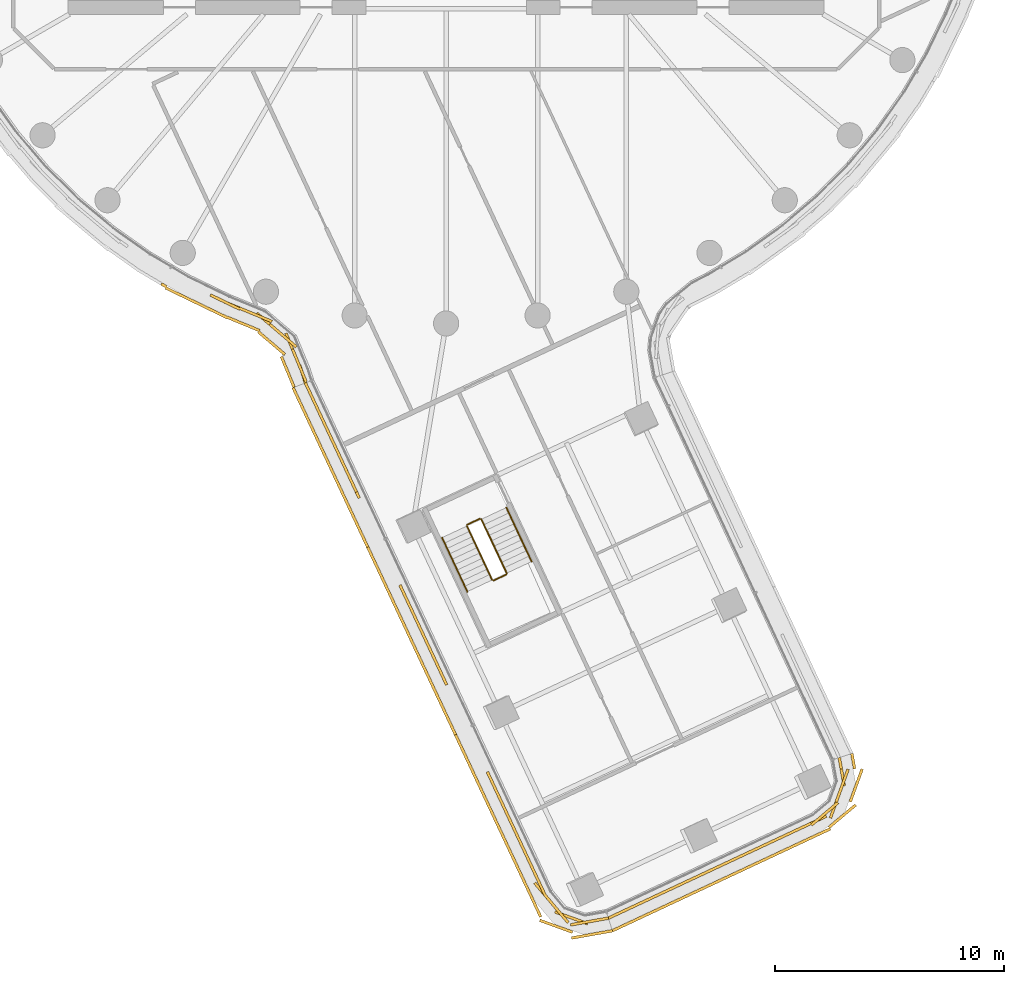
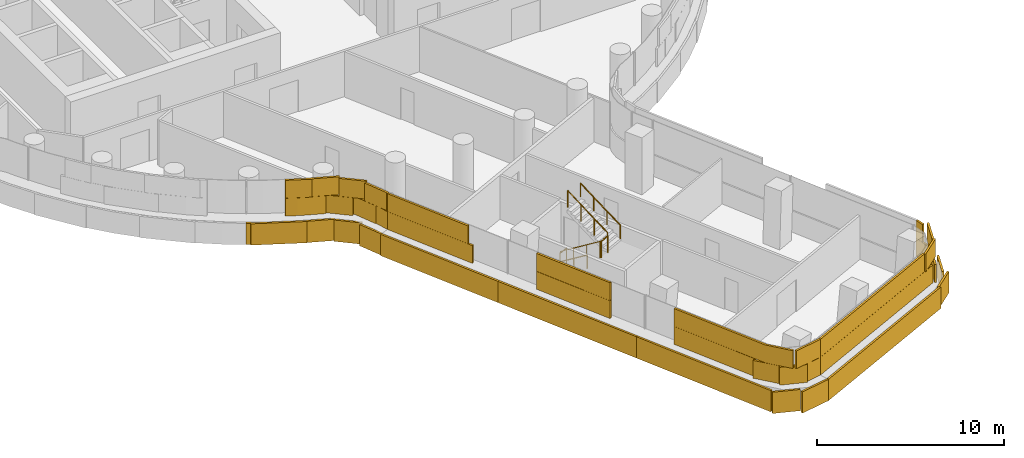
# One storey, part 29 of 36: 6 railings, 5 coverings.
"""IFC4 building model written with IfcOpenShell, lengths in metres."""

from ifc_helpers import new_model, si_unit, direction, frame, origin, origin_2d, place, context, subcontext, project, spatial, rectangle, circle, extrude, material, layer, layer_set, type_object, element, save


model = new_model("IFC4")

# Units and contexts
model_context = context("Model", 3, precision=1e-05, world=origin(), true_north=direction((0.0, 1.0)))
body_context = subcontext(model_context, "Body", "Model", "MODEL_VIEW")
ifc_project = project(units=[si_unit("LENGTHUNIT", "METRE"), si_unit("AREAUNIT", "SQUARE_METRE"), si_unit("VOLUMEUNIT", "CUBIC_METRE"), si_unit("PLANEANGLEUNIT", "RADIAN"), si_unit("MASSUNIT", "GRAM", prefix="KILO")], contexts=[model_context])

# Site, building, storey
site_placement = place(None, origin())
site = spatial("IfcSite", under=ifc_project, at=site_placement, CompositionType="ELEMENT")
building_placement = place(site_placement, origin())
building = spatial("IfcBuilding", under=site, at=building_placement, Name="Tamarind Cross Interchange Tower", CompositionType="ELEMENT")
storey_placement = place(building_placement, frame((0.0, 0.0, 124.75)))
storey = spatial("IfcBuildingStorey", under=building, at=storey_placement, Name="L30", CompositionType="ELEMENT", Elevation=124.75)

# Railings
ifc_material_1 = material(Name="Stair guard")
railing_type_1 = type_object("IfcRailingType", Name="Stair guard", PredefinedType="GUARDRAIL", material=ifc_material_1)
railing_1_placement = place(storey_placement, frame((0.9072265625, -31.84326171875, 0.17041015625)))
element("IfcRailing", 1, at=railing_1_placement, inside=storey, type_object=railing_type_1, Name="L30 ST6 stair guard 1", PredefinedType="GUARDRAIL", context=body_context, shape_type="SweptSolid", body=[
    extrude(circle(Radius=0.02392578125, at=origin_2d()), frame((0.0, 0.0, 1.076171875), z_axis=(0.354398913971, -0.75748546957, 0.548285667482), x_axis=(0.905767689231, 0.423774578219, 0.0)), (0.0, 0.0, 1.0), 3.10888671875),
    extrude(circle(Radius=0.02099609375, at=origin_2d()), origin(), (0.0, 0.0, 1.0), 1.052001953125),
    extrude(circle(Radius=0.02099609375, at=origin_2d()), frame((0.3671875, -0.784912109375, 0.568115234375)), (0.0, 0.0, 1.0), 1.052001953125),
    extrude(circle(Radius=0.02099609375, at=origin_2d()), frame((0.734619140625, -1.570068359375, 1.136474609375)), (0.0, 0.0, 1.0), 1.052001953125),
    extrude(circle(Radius=0.02099609375, at=origin_2d()), frame((1.101806640625, -2.35498046875, 1.70458984375)), (0.0, 0.0, 1.0), 1.052001953125),
])
railing_2_placement = place(storey_placement, frame((2.075439453125, -34.222412109375, 1.875)))
element("IfcRailing", 2, at=railing_2_placement, inside=storey, type_object=railing_type_1, Name="L30 ST6 stair guard 2", PredefinedType="GUARDRAIL", context=body_context, shape_type="SweptSolid", body=[
    extrude(circle(Radius=0.02392578125, at=origin_2d()), frame((0.0, 0.0, 1.076171875), z_axis=(0.905683578805, 0.423954307778, 0.0), x_axis=(-0.423954307778, 0.905683578805, 0.0)), (0.0, 0.0, 1.0), 0.60009765625),
    extrude(circle(Radius=0.02099609375, at=origin_2d()), origin(), (0.0, 0.0, 1.0), 1.052001953125),
    extrude(circle(Radius=0.02099609375, at=origin_2d()), frame((0.54345703125, 0.25439453125, 0.0)), (0.0, 0.0, 1.0), 1.052001953125),
])
railing_3_placement = place(storey_placement, frame((2.64306640625, -33.901611328125, 2.04541015625)))
element("IfcRailing", 3, at=railing_3_placement, inside=storey, type_object=railing_type_1, Name="L30 ST6 stair guard 3", PredefinedType="GUARDRAIL", context=body_context, shape_type="SweptSolid", body=[
    extrude(circle(Radius=0.02392578125, at=origin_2d()), frame((0.0, 0.0, 1.076171875), z_axis=(-0.354398913971, 0.75748546957, 0.548285667482), x_axis=(-0.905767689231, -0.423774578219, 0.0)), (0.0, 0.0, 1.0), 3.10888671875),
    extrude(circle(Radius=0.02099609375, at=origin_2d()), origin(), (0.0, 0.0, 1.0), 1.052001953125),
    extrude(circle(Radius=0.02099609375, at=origin_2d()), frame((-0.3671875, 0.784912109375, 0.568115234375)), (0.0, 0.0, 1.0), 1.052001953125),
    extrude(circle(Radius=0.02099609375, at=origin_2d()), frame((-0.734619140625, 1.570068359375, 1.136474609375)), (0.0, 0.0, 1.0), 1.052001953125),
    extrude(circle(Radius=0.02099609375, at=origin_2d()), frame((-1.101806640625, 2.35498046875, 1.70458984375)), (0.0, 0.0, 1.0), 1.052001953125),
])
railing_4_placement = place(storey_placement, frame((0.93115234375, -31.77685546875, 0.0)))
element("IfcRailing", 4, at=railing_4_placement, inside=storey, type_object=railing_type_1, Name="L30 ST6 stair guard 4", PredefinedType="GUARDRAIL", context=body_context, shape_type="SweptSolid", body=[
    extrude(circle(Radius=0.02392578125, at=origin_2d()), frame((0.0, 0.0, 1.076171875), z_axis=(0.905683578805, 0.423954307778, 0.0), x_axis=(-0.423954307778, 0.905683578805, 0.0)), (0.0, 0.0, 1.0), 0.60009765625),
    extrude(circle(Radius=0.02099609375, at=origin_2d()), origin(), (0.0, 0.0, 1.0), 1.052001953125),
    extrude(circle(Radius=0.02099609375, at=origin_2d()), frame((0.54345703125, 0.25439453125, 0.0)), (0.0, 0.0, 1.0), 1.052001953125),
])
ifc_material_2 = material(Name="Stair handrail")
railing_type_2 = type_object("IfcRailingType", Name="Stair handrail", PredefinedType="HANDRAIL", material=ifc_material_2)
railing_5_placement = place(storey_placement, frame((-0.1796875, -32.351806640625, 0.17041015625)))
element("IfcRailing", 5, at=railing_5_placement, inside=storey, type_object=railing_type_2, Name="L30 ST6 stair handrail 1", PredefinedType="HANDRAIL", context=body_context, shape_type="SweptSolid", body=[
    extrude(circle(Radius=0.02392578125, at=origin_2d()), frame((0.0, 0.0, 0.8759765625), z_axis=(0.354398913971, -0.75748546957, 0.548285667482), x_axis=(0.905767689231, 0.423774578219, 0.0)), (0.0, 0.0, 1.0), 3.10888671875),
    extrude(circle(Radius=0.02099609375, at=origin_2d()), origin(), (0.0, 0.0, 1.0), 0.851806640625),
    extrude(circle(Radius=0.02099609375, at=origin_2d()), frame((0.3671875, -0.784912109375, 0.568115234375)), (0.0, 0.0, 1.0), 0.851806640625),
    extrude(circle(Radius=0.02099609375, at=origin_2d()), frame((0.734619140625, -1.570068359375, 1.136474609375)), (0.0, 0.0, 1.0), 0.851806640625),
    extrude(circle(Radius=0.02099609375, at=origin_2d()), frame((1.101806640625, -2.35498046875, 1.70458984375)), (0.0, 0.0, 1.0), 0.851806640625),
])
railing_6_placement = place(storey_placement, frame((3.72998046875, -33.39306640625, 2.04541015625)))
element("IfcRailing", 6, at=railing_6_placement, inside=storey, type_object=railing_type_2, Name="L30 ST6 stair handrail 2", PredefinedType="HANDRAIL", context=body_context, shape_type="SweptSolid", body=[
    extrude(circle(Radius=0.02392578125, at=origin_2d()), frame((0.0, 0.0, 0.8759765625), z_axis=(-0.354398913971, 0.75748546957, 0.548285667482), x_axis=(-0.905767689231, -0.423774578219, 0.0)), (0.0, 0.0, 1.0), 3.10888671875),
    extrude(circle(Radius=0.02099609375, at=origin_2d()), origin(), (0.0, 0.0, 1.0), 0.851806640625),
    extrude(circle(Radius=0.02099609375, at=origin_2d()), frame((-0.3671875, 0.784912109375, 0.568115234375)), (0.0, 0.0, 1.0), 0.851806640625),
    extrude(circle(Radius=0.02099609375, at=origin_2d()), frame((-0.734619140625, 1.570068359375, 1.136474609375)), (0.0, 0.0, 1.0), 0.851806640625),
    extrude(circle(Radius=0.02099609375, at=origin_2d()), frame((-1.101806640625, 2.35498046875, 1.70458984375)), (0.0, 0.0, 1.0), 0.851806640625),
])

# Coverings
ifc_material_3 = material(Name="Terracotta", Category="masonry")
ifc_layer = layer(ifc_material_3, 0.1201171875)
ifc_layer_set = layer_set([ifc_layer], Name="Terracotta")
covering_type = type_object("IfcCoveringType", Name="Terracotta baguette screen unit", PredefinedType="MOLDING", material=ifc_layer_set)
covering_1_placement = place(storey_placement, origin())
element("IfcCovering", 7, at=covering_1_placement, inside=storey, type_object=covering_type, Name="SCR-L30-02-01", PredefinedType="MOLDING", context=body_context, shape_type="SweptSolid", body=[
    extrude(rectangle(XDim=0.6796875, YDim=0.1201171875, at=origin_2d()), frame((-9.990478515625, -21.900390625, 1.404052734375), z_axis=(0.0, 0.0, 1.0), x_axis=(0.900272776334, -0.435326231914, 0.0)), (0.0, 0.0, 1.0), 1.1669921875),
    extrude(rectangle(XDim=1.52001953125, YDim=0.1201171875, at=origin_2d()), frame((-8.99853515625, -22.3388671875, 1.404052734375), z_axis=(0.0, 0.0, 1.0), x_axis=(0.924281259172, -0.381712134917, 0.0)), (0.0, 0.0, 1.0), 1.1669921875),
    extrude(rectangle(XDim=1.52001953125, YDim=0.1201171875, at=origin_2d()), frame((-7.692138671875, -23.04248046875, 1.404052734375), z_axis=(0.0, 0.0, 1.0), x_axis=(0.761232595024, -0.648478940501, 0.0)), (0.0, 0.0, 1.0), 1.1669921875),
    extrude(rectangle(XDim=1.52001953125, YDim=0.1201171875, at=origin_2d()), frame((-6.704833984375, -24.12744140625, 1.404052734375), z_axis=(0.0, 0.0, 1.0), x_axis=(0.382708296882, -0.923869232899, 0.0)), (0.0, 0.0, 1.0), 1.1669921875),
    extrude(rectangle(XDim=0.83251953125, YDim=0.1201171875, at=origin_2d()), frame((-6.26953125, -25.20361328125, 1.404052734375), z_axis=(0.0, 0.0, 1.0), x_axis=(0.301957281813, -0.953321456782, 0.0)), (0.0, 0.0, 1.0), 1.1669921875),
    extrude(rectangle(XDim=1.4296875, YDim=0.1201171875, at=origin_2d()), frame((-9.65283203125, -22.063720703125, 2.5791015625), z_axis=(0.0, 0.0, 1.0), x_axis=(0.900272776334, -0.435326231914, 0.0)), (0.0, 0.0, 1.0), 1.1669921875),
    extrude(rectangle(XDim=1.52001953125, YDim=0.1201171875, at=origin_2d()), frame((-8.305419921875, -22.625244140625, 2.5791015625), z_axis=(0.0, 0.0, 1.0), x_axis=(0.924281259172, -0.381712134917, 0.0)), (0.0, 0.0, 1.0), 1.1669921875),
    extrude(rectangle(XDim=1.52001953125, YDim=0.1201171875, at=origin_2d()), frame((-7.121337890625, -23.52880859375, 2.5791015625), z_axis=(0.0, 0.0, 1.0), x_axis=(0.761232595024, -0.648478940501, 0.0)), (0.0, 0.0, 1.0), 1.1669921875),
    extrude(rectangle(XDim=1.52001953125, YDim=0.1201171875, at=origin_2d()), frame((-6.417724609375, -24.8203125, 2.5791015625), z_axis=(0.0, 0.0, 1.0), x_axis=(0.382708296882, -0.923869232899, 0.0)), (0.0, 0.0, 1.0), 1.1669921875),
    extrude(rectangle(XDim=0.08251953125, YDim=0.1201171875, at=origin_2d()), frame((-6.15625, -25.56103515625, 2.5791015625), z_axis=(0.0, 0.0, 1.0), x_axis=(0.301957281813, -0.953321456782, 0.0)), (0.0, 0.0, 1.0), 1.1669921875),
    extrude(rectangle(XDim=0.26416015625, YDim=0.1201171875, at=origin_2d()), frame((-12.3232421875, -21.337646484375, 0.00390625), z_axis=(0.0, 0.0, 1.0), x_axis=(0.861248933065, -0.508183308752, 0.0)), (0.0, 0.0, 1.0), 1.39208984375),
    extrude(rectangle(XDim=1.52001953125, YDim=0.1201171875, at=origin_2d()), frame((-11.569091796875, -21.774658203125, 0.00390625), z_axis=(0.0, 0.0, 1.0), x_axis=(0.900272776334, -0.435326231914, 0.0)), (0.0, 0.0, 1.0), 1.39208984375),
    extrude(rectangle(XDim=1.52001953125, YDim=0.1201171875, at=origin_2d()), frame((-10.218505859375, -22.427734375, 0.00390625), z_axis=(0.0, 0.0, 1.0), x_axis=(0.900272776334, -0.435326231914, 0.0)), (0.0, 0.0, 1.0), 1.39208984375),
    extrude(rectangle(XDim=1.52001953125, YDim=0.1201171875, at=origin_2d()), frame((-8.843017578125, -23.024169921875, 0.00390625), z_axis=(0.0, 0.0, 1.0), x_axis=(0.924281259172, -0.381712134917, 0.0)), (0.0, 0.0, 1.0), 1.39208984375),
    extrude(rectangle(XDim=1.52001953125, YDim=0.1201171875, at=origin_2d()), frame((-7.617431640625, -23.860107421875, 0.00390625), z_axis=(0.0, 0.0, 1.0), x_axis=(0.761232595024, -0.648478940501, 0.0)), (0.0, 0.0, 1.0), 1.39208984375),
    extrude(rectangle(XDim=1.45703125, YDim=0.1201171875, at=origin_2d()), frame((-6.91650390625, -25.115966796875, 0.00390625), z_axis=(0.0, 0.0, 1.0), x_axis=(0.382708296882, -0.923869232899, 0.0)), (0.0, 0.0, 1.0), 1.39208984375),
])
covering_2_placement = place(storey_placement, origin())
element("IfcCovering", 8, at=covering_2_placement, inside=storey, type_object=covering_type, Name="SCR-L30-03-00", PredefinedType="MOLDING", context=body_context, shape_type="SweptSolid", body=[
    extrude(rectangle(XDim=1.510009765625, YDim=0.1201171875, at=origin_2d()), frame((-5.827392578125, -26.27490234375, 1.404052734375), z_axis=(0.0, 0.0, 1.0), x_axis=(0.423807415123, -0.905752325355, 0.0)), (0.0, 0.0, 1.0), 1.1669921875),
    extrude(rectangle(XDim=1.52001953125, YDim=0.1201171875, at=origin_2d()), frame((-5.191650390625, -27.633544921875, 1.404052734375), z_axis=(0.0, 0.0, 1.0), x_axis=(0.423807415123, -0.905752325355, 0.0)), (0.0, 0.0, 1.0), 1.1669921875),
    extrude(rectangle(XDim=1.52001953125, YDim=0.1201171875, at=origin_2d()), frame((-4.555908203125, -28.9921875, 1.404052734375), z_axis=(0.0, 0.0, 1.0), x_axis=(0.423807415123, -0.905752325355, 0.0)), (0.0, 0.0, 1.0), 1.1669921875),
    extrude(rectangle(XDim=1.05712890625, YDim=0.1201171875, at=origin_2d()), frame((-4.016357421875, -30.145751953125, 1.404052734375), z_axis=(0.0, 0.0, 1.0), x_axis=(0.423807415123, -0.905752325355, 0.0)), (0.0, 0.0, 1.0), 1.1669921875),
    extrude(rectangle(XDim=0.760009765625, YDim=0.1201171875, at=origin_2d()), frame((-5.986328125, -25.935302734375, 2.5791015625), z_axis=(0.0, 0.0, 1.0), x_axis=(0.423807415123, -0.905752325355, 0.0)), (0.0, 0.0, 1.0), 1.1669921875),
    extrude(rectangle(XDim=1.52001953125, YDim=0.1201171875, at=origin_2d()), frame((-5.509521484375, -26.954345703125, 2.5791015625), z_axis=(0.0, 0.0, 1.0), x_axis=(0.423807415123, -0.905752325355, 0.0)), (0.0, 0.0, 1.0), 1.1669921875),
    extrude(rectangle(XDim=1.52001953125, YDim=0.1201171875, at=origin_2d()), frame((-4.873779296875, -28.31298828125, 2.5791015625), z_axis=(0.0, 0.0, 1.0), x_axis=(0.423807415123, -0.905752325355, 0.0)), (0.0, 0.0, 1.0), 1.1669921875),
    extrude(rectangle(XDim=1.52001953125, YDim=0.1201171875, at=origin_2d()), frame((-4.23828125, -29.671630859375, 2.5791015625), z_axis=(0.0, 0.0, 1.0), x_axis=(0.423807415123, -0.905752325355, 0.0)), (0.0, 0.0, 1.0), 1.1669921875),
    extrude(rectangle(XDim=1.510009765625, YDim=0.1201171875, at=origin_2d()), frame((-6.361083984375, -26.48876953125, 0.00390625), z_axis=(0.0, 0.0, 1.0), x_axis=(0.423807415123, -0.905752325355, 0.0)), (0.0, 0.0, 1.0), 1.39208984375),
    extrude(rectangle(XDim=1.52001953125, YDim=0.1201171875, at=origin_2d()), frame((-5.7275390625, -27.8427734375, 0.00390625), z_axis=(0.0, 0.0, 1.0), x_axis=(0.423807415123, -0.905752325355, 0.0)), (0.0, 0.0, 1.0), 1.39208984375),
    extrude(rectangle(XDim=1.52001953125, YDim=0.1201171875, at=origin_2d()), frame((-5.091796875, -29.201416015625, 0.00390625), z_axis=(0.0, 0.0, 1.0), x_axis=(0.423807415123, -0.905752325355, 0.0)), (0.0, 0.0, 1.0), 1.39208984375),
    extrude(rectangle(XDim=1.52001953125, YDim=0.1201171875, at=origin_2d()), frame((-4.4560546875, -30.56005859375, 0.00390625), z_axis=(0.0, 0.0, 1.0), x_axis=(0.423807415123, -0.905752325355, 0.0)), (0.0, 0.0, 1.0), 1.39208984375),
    extrude(rectangle(XDim=1.52001953125, YDim=0.1201171875, at=origin_2d()), frame((-3.820556640625, -31.918701171875, 0.00390625), z_axis=(0.0, 0.0, 1.0), x_axis=(0.423807415123, -0.905752325355, 0.0)), (0.0, 0.0, 1.0), 1.39208984375),
    extrude(rectangle(XDim=0.192138671875, YDim=0.1201171875, at=origin_2d()), frame((-3.466064453125, -32.676025390625, 0.00390625), z_axis=(0.0, 0.0, 1.0), x_axis=(0.423807415123, -0.905752325355, 0.0)), (0.0, 0.0, 1.0), 1.39208984375),
])
covering_3_placement = place(storey_placement, origin())
element("IfcCovering", 9, at=covering_3_placement, inside=storey, type_object=covering_type, Name="SCR-L30-03-01", PredefinedType="MOLDING", context=body_context, shape_type="SweptSolid", body=[
    extrude(rectangle(XDim=0.7626953125, YDim=0.1201171875, at=origin_2d()), frame((-1.854736328125, -34.76513671875, 1.404052734375), z_axis=(0.0, 0.0, 1.0), x_axis=(0.423807415123, -0.905752325355, 0.0)), (0.0, 0.0, 1.0), 1.1669921875),
    extrude(rectangle(XDim=1.52001953125, YDim=0.1201171875, at=origin_2d()), frame((-1.37744140625, -35.785400390625, 1.404052734375), z_axis=(0.0, 0.0, 1.0), x_axis=(0.423807415123, -0.905752325355, 0.0)), (0.0, 0.0, 1.0), 1.1669921875),
    extrude(rectangle(XDim=1.52001953125, YDim=0.1201171875, at=origin_2d()), frame((-0.74169921875, -37.14404296875, 1.404052734375), z_axis=(0.0, 0.0, 1.0), x_axis=(0.423807415123, -0.905752325355, 0.0)), (0.0, 0.0, 1.0), 1.1669921875),
    extrude(rectangle(XDim=1.063720703125, YDim=0.1201171875, at=origin_2d()), frame((-0.20068359375, -38.300537109375, 1.404052734375), z_axis=(0.0, 0.0, 1.0), x_axis=(0.423807415123, -0.905752325355, 0.0)), (0.0, 0.0, 1.0), 1.1669921875),
    extrude(rectangle(XDim=1.52001953125, YDim=0.1201171875, at=origin_2d()), frame((-1.6953125, -35.10595703125, 2.5791015625), z_axis=(0.0, 0.0, 1.0), x_axis=(0.423807415123, -0.905752325355, 0.0)), (0.0, 0.0, 1.0), 1.1669921875),
    extrude(rectangle(XDim=1.52001953125, YDim=0.1201171875, at=origin_2d()), frame((-1.0595703125, -36.464599609375, 2.5791015625), z_axis=(0.0, 0.0, 1.0), x_axis=(0.423807415123, -0.905752325355, 0.0)), (0.0, 0.0, 1.0), 1.1669921875),
    extrude(rectangle(XDim=1.52001953125, YDim=0.1201171875, at=origin_2d()), frame((-0.423828125, -37.8232421875, 2.5791015625), z_axis=(0.0, 0.0, 1.0), x_axis=(0.423807415123, -0.905752325355, 0.0)), (0.0, 0.0, 1.0), 1.1669921875),
    extrude(rectangle(XDim=0.313720703125, YDim=0.1201171875, at=origin_2d()), frame((-0.041748046875, -38.64013671875, 2.5791015625), z_axis=(0.0, 0.0, 1.0), x_axis=(0.423807415123, -0.905752325355, 0.0)), (0.0, 0.0, 1.0), 1.1669921875),
    extrude(rectangle(XDim=1.32763671875, YDim=0.1201171875, at=origin_2d()), frame((-3.14404296875, -33.364501953125, 0.00390625), z_axis=(0.0, 0.0, 1.0), x_axis=(0.423807415123, -0.905752325355, 0.0)), (0.0, 0.0, 1.0), 1.39208984375),
    extrude(rectangle(XDim=1.52001953125, YDim=0.1201171875, at=origin_2d()), frame((-2.549072265625, -34.635986328125, 0.00390625), z_axis=(0.0, 0.0, 1.0), x_axis=(0.423807415123, -0.905752325355, 0.0)), (0.0, 0.0, 1.0), 1.39208984375),
    extrude(rectangle(XDim=1.52001953125, YDim=0.1201171875, at=origin_2d()), frame((-1.913330078125, -35.99462890625, 0.00390625), z_axis=(0.0, 0.0, 1.0), x_axis=(0.423807415123, -0.905752325355, 0.0)), (0.0, 0.0, 1.0), 1.39208984375),
    extrude(rectangle(XDim=1.52001953125, YDim=0.1201171875, at=origin_2d()), frame((-1.277587890625, -37.353271484375, 0.00390625), z_axis=(0.0, 0.0, 1.0), x_axis=(0.423807415123, -0.905752325355, 0.0)), (0.0, 0.0, 1.0), 1.39208984375),
    extrude(rectangle(XDim=1.52001953125, YDim=0.1201171875, at=origin_2d()), frame((-0.641845703125, -38.7119140625, 0.00390625), z_axis=(0.0, 0.0, 1.0), x_axis=(0.423807415123, -0.905752325355, 0.0)), (0.0, 0.0, 1.0), 1.39208984375),
    extrude(rectangle(XDim=1.52001953125, YDim=0.1201171875, at=origin_2d()), frame((-0.006103515625, -40.070556640625, 0.00390625), z_axis=(0.0, 0.0, 1.0), x_axis=(0.423807415123, -0.905752325355, 0.0)), (0.0, 0.0, 1.0), 1.39208984375),
    extrude(rectangle(XDim=0.239990234375, YDim=0.1201171875, at=origin_2d()), frame((0.3583984375, -40.849365234375, 0.00390625), z_axis=(0.0, 0.0, 1.0), x_axis=(0.423807415123, -0.905752325355, 0.0)), (0.0, 0.0, 1.0), 1.39208984375),
])
covering_4_placement = place(storey_placement, origin())
element("IfcCovering", 10, at=covering_4_placement, inside=storey, type_object=covering_type, Name="SCR-L30-03-02", PredefinedType="MOLDING", context=body_context, shape_type="SweptSolid", body=[
    extrude(rectangle(XDim=0.75634765625, YDim=0.1201171875, at=origin_2d()), frame((1.960693359375, -42.919921875, 1.404052734375), z_axis=(0.0, 0.0, 1.0), x_axis=(0.423807415123, -0.905752325355, 0.0)), (0.0, 0.0, 1.0), 1.1669921875),
    extrude(rectangle(XDim=1.52001953125, YDim=0.1201171875, at=origin_2d()), frame((2.436767578125, -43.937255859375, 1.404052734375), z_axis=(0.0, 0.0, 1.0), x_axis=(0.423807415123, -0.905752325355, 0.0)), (0.0, 0.0, 1.0), 1.1669921875),
    extrude(rectangle(XDim=1.52001953125, YDim=0.1201171875, at=origin_2d()), frame((3.072509765625, -45.2958984375, 1.404052734375), z_axis=(0.0, 0.0, 1.0), x_axis=(0.423807415123, -0.905752325355, 0.0)), (0.0, 0.0, 1.0), 1.1669921875),
    extrude(rectangle(XDim=1.52001953125, YDim=0.1201171875, at=origin_2d()), frame((3.708251953125, -46.654296875, 1.404052734375), z_axis=(0.0, 0.0, 1.0), x_axis=(0.423807415123, -0.905752325355, 0.0)), (0.0, 0.0, 1.0), 1.1669921875),
    extrude(rectangle(XDim=1.52001953125, YDim=0.1201171875, at=origin_2d()), frame((4.3564453125, -48.005126953125, 1.404052734375), z_axis=(0.0, 0.0, 1.0), x_axis=(0.643792479588, -0.765200132793, 0.0)), (0.0, 0.0, 1.0), 1.1669921875),
    extrude(rectangle(XDim=1.52001953125, YDim=0.1201171875, at=origin_2d()), frame((5.466064453125, -48.94677734375, 1.404052734375), z_axis=(0.0, 0.0, 1.0), x_axis=(0.940140708485, -0.340786514184, 0.0)), (0.0, 0.0, 1.0), 1.1669921875),
    extrude(rectangle(XDim=0.92919921875, YDim=0.1201171875, at=origin_2d()), frame((6.63037109375, -49.04345703125, 1.404052734375), z_axis=(0.0, 0.0, 1.0), x_axis=(0.984578993772, 0.174940575692, 0.0)), (0.0, 0.0, 1.0), 1.1669921875),
    extrude(rectangle(XDim=1.50634765625, YDim=0.1201171875, at=origin_2d()), frame((2.11962890625, -43.259521484375, 2.5791015625), z_axis=(0.0, 0.0, 1.0), x_axis=(0.423807415123, -0.905752325355, 0.0)), (0.0, 0.0, 1.0), 1.1669921875),
    extrude(rectangle(XDim=1.52001953125, YDim=0.1201171875, at=origin_2d()), frame((2.754638671875, -44.616455078125, 2.5791015625), z_axis=(0.0, 0.0, 1.0), x_axis=(0.423807415123, -0.905752325355, 0.0)), (0.0, 0.0, 1.0), 1.1669921875),
    extrude(rectangle(XDim=1.52001953125, YDim=0.1201171875, at=origin_2d()), frame((3.390380859375, -45.97509765625, 2.5791015625), z_axis=(0.0, 0.0, 1.0), x_axis=(0.423807415123, -0.905752325355, 0.0)), (0.0, 0.0, 1.0), 1.1669921875),
    extrude(rectangle(XDim=1.52001953125, YDim=0.1201171875, at=origin_2d()), frame((4.026123046875, -47.333740234375, 2.5791015625), z_axis=(0.0, 0.0, 1.0), x_axis=(0.423807415123, -0.905752325355, 0.0)), (0.0, 0.0, 1.0), 1.1669921875),
    extrude(rectangle(XDim=1.52001953125, YDim=0.1201171875, at=origin_2d()), frame((4.83935546875, -48.578857421875, 2.5791015625), z_axis=(0.0, 0.0, 1.0), x_axis=(0.643792479588, -0.765200132793, 0.0)), (0.0, 0.0, 1.0), 1.1669921875),
    extrude(rectangle(XDim=1.52001953125, YDim=0.1201171875, at=origin_2d()), frame((6.177734375, -49.1240234375, 2.5791015625), z_axis=(0.0, 0.0, 1.0), x_axis=(0.984578993772, 0.174940575692, 0.0)), (0.0, 0.0, 1.0), 1.1669921875),
    extrude(rectangle(XDim=0.17919921875, YDim=0.1201171875, at=origin_2d()), frame((6.99951171875, -48.97802734375, 2.5791015625), z_axis=(0.0, 0.0, 1.0), x_axis=(0.984578993772, 0.174940575692, 0.0)), (0.0, 0.0, 1.0), 1.1669921875),
    extrude(rectangle(XDim=1.27978515625, YDim=0.1201171875, at=origin_2d()), frame((0.680419921875, -41.537841796875, 0.00390625), z_axis=(0.0, 0.0, 1.0), x_axis=(0.423807415123, -0.905752325355, 0.0)), (0.0, 0.0, 1.0), 1.39208984375),
    extrude(rectangle(XDim=1.52001953125, YDim=0.1201171875, at=origin_2d()), frame((1.26513671875, -42.787841796875, 0.00390625), z_axis=(0.0, 0.0, 1.0), x_axis=(0.423807415123, -0.905752325355, 0.0)), (0.0, 0.0, 1.0), 1.39208984375),
    extrude(rectangle(XDim=1.52001953125, YDim=0.1201171875, at=origin_2d()), frame((1.90087890625, -44.146240234375, 0.00390625), z_axis=(0.0, 0.0, 1.0), x_axis=(0.423807415123, -0.905752325355, 0.0)), (0.0, 0.0, 1.0), 1.39208984375),
    extrude(rectangle(XDim=1.52001953125, YDim=0.1201171875, at=origin_2d()), frame((2.53662109375, -45.5048828125, 0.00390625), z_axis=(0.0, 0.0, 1.0), x_axis=(0.423807415123, -0.905752325355, 0.0)), (0.0, 0.0, 1.0), 1.39208984375),
    extrude(rectangle(XDim=1.52001953125, YDim=0.1201171875, at=origin_2d()), frame((3.17236328125, -46.863525390625, 0.00390625), z_axis=(0.0, 0.0, 1.0), x_axis=(0.423807415123, -0.905752325355, 0.0)), (0.0, 0.0, 1.0), 1.39208984375),
    extrude(rectangle(XDim=1.52001953125, YDim=0.1201171875, at=origin_2d()), frame((3.80810546875, -48.22216796875, 0.00390625), z_axis=(0.0, 0.0, 1.0), x_axis=(0.423807415123, -0.905752325355, 0.0)), (0.0, 0.0, 1.0), 1.39208984375),
    extrude(rectangle(XDim=1.52001953125, YDim=0.1201171875, at=origin_2d()), frame((4.8037109375, -49.3173828125, 0.00390625), z_axis=(0.0, 0.0, 1.0), x_axis=(0.940140708485, -0.340786514184, 0.0)), (0.0, 0.0, 1.0), 1.39208984375),
    extrude(rectangle(XDim=1.52001953125, YDim=0.1201171875, at=origin_2d()), frame((6.22509765625, -49.698486328125, 0.00390625), z_axis=(0.0, 0.0, 1.0), x_axis=(0.984578993772, 0.174940575692, 0.0)), (0.0, 0.0, 1.0), 1.39208984375),
    extrude(rectangle(XDim=0.308837890625, YDim=0.1201171875, at=origin_2d()), frame((7.105712890625, -49.5419921875, 0.00390625), z_axis=(0.0, 0.0, 1.0), x_axis=(0.984578993772, 0.174940575692, 0.0)), (0.0, 0.0, 1.0), 1.39208984375),
])
covering_5_placement = place(storey_placement, origin())
element("IfcCovering", 11, at=covering_5_placement, inside=storey, type_object=covering_type, Name="SCR-L30-04-00", PredefinedType="MOLDING", context=body_context, shape_type="SweptSolid", body=[
    extrude(rectangle(XDim=1.510009765625, YDim=0.1201171875, at=origin_2d()), frame((7.76220703125, -48.645263671875, 1.404052734375), z_axis=(0.0, 0.0, 1.0), x_axis=(0.905752325355, 0.423807415123, 0.0)), (0.0, 0.0, 1.0), 1.1669921875),
    extrude(rectangle(XDim=1.52001953125, YDim=0.1201171875, at=origin_2d()), frame((9.120849609375, -48.009521484375, 1.404052734375), z_axis=(0.0, 0.0, 1.0), x_axis=(0.905752325355, 0.423807415123, 0.0)), (0.0, 0.0, 1.0), 1.1669921875),
    extrude(rectangle(XDim=1.52001953125, YDim=0.1201171875, at=origin_2d()), frame((10.4794921875, -47.373779296875, 1.404052734375), z_axis=(0.0, 0.0, 1.0), x_axis=(0.905752325355, 0.423807415123, 0.0)), (0.0, 0.0, 1.0), 1.1669921875),
    extrude(rectangle(XDim=1.52001953125, YDim=0.1201171875, at=origin_2d()), frame((11.838134765625, -46.73828125, 1.404052734375), z_axis=(0.0, 0.0, 1.0), x_axis=(0.905752325355, 0.423807415123, 0.0)), (0.0, 0.0, 1.0), 1.1669921875),
    extrude(rectangle(XDim=1.52001953125, YDim=0.1201171875, at=origin_2d()), frame((13.19677734375, -46.1025390625, 1.404052734375), z_axis=(0.0, 0.0, 1.0), x_axis=(0.905752325355, 0.423807415123, 0.0)), (0.0, 0.0, 1.0), 1.1669921875),
    extrude(rectangle(XDim=1.52001953125, YDim=0.1201171875, at=origin_2d()), frame((14.555419921875, -45.466796875, 1.404052734375), z_axis=(0.0, 0.0, 1.0), x_axis=(0.905752325355, 0.423807415123, 0.0)), (0.0, 0.0, 1.0), 1.1669921875),
    extrude(rectangle(XDim=1.52001953125, YDim=0.1201171875, at=origin_2d()), frame((15.9140625, -44.8310546875, 1.404052734375), z_axis=(0.0, 0.0, 1.0), x_axis=(0.905752325355, 0.423807415123, 0.0)), (0.0, 0.0, 1.0), 1.1669921875),
    extrude(rectangle(XDim=1.52001953125, YDim=0.1201171875, at=origin_2d()), frame((17.034423828125, -43.879638671875, 1.404052734375), z_axis=(0.0, 0.0, 1.0), x_axis=(0.340786514184, 0.940140708485, 0.0)), (0.0, 0.0, 1.0), 1.1669921875),
    extrude(rectangle(XDim=1.259521484375, YDim=0.1201171875, at=origin_2d()), frame((17.272705078125, -42.5673828125, 1.404052734375), z_axis=(0.0, 0.0, 1.0), x_axis=(-0.174940575692, 0.984578993772, 0.0)), (0.0, 0.0, 1.0), 1.1669921875),
    extrude(rectangle(XDim=0.760009765625, YDim=0.1201171875, at=origin_2d()), frame((7.422607421875, -48.80419921875, 2.5791015625), z_axis=(0.0, 0.0, 1.0), x_axis=(0.905752325355, 0.423807415123, 0.0)), (0.0, 0.0, 1.0), 1.1669921875),
    extrude(rectangle(XDim=1.52001953125, YDim=0.1201171875, at=origin_2d()), frame((8.44140625, -48.327392578125, 2.5791015625), z_axis=(0.0, 0.0, 1.0), x_axis=(0.905752325355, 0.423807415123, 0.0)), (0.0, 0.0, 1.0), 1.1669921875),
    extrude(rectangle(XDim=1.52001953125, YDim=0.1201171875, at=origin_2d()), frame((9.800048828125, -47.691650390625, 2.5791015625), z_axis=(0.0, 0.0, 1.0), x_axis=(0.905752325355, 0.423807415123, 0.0)), (0.0, 0.0, 1.0), 1.1669921875),
    extrude(rectangle(XDim=1.52001953125, YDim=0.1201171875, at=origin_2d()), frame((11.15869140625, -47.05615234375, 2.5791015625), z_axis=(0.0, 0.0, 1.0), x_axis=(0.905752325355, 0.423807415123, 0.0)), (0.0, 0.0, 1.0), 1.1669921875),
    extrude(rectangle(XDim=1.52001953125, YDim=0.1201171875, at=origin_2d()), frame((12.517333984375, -46.42041015625, 2.5791015625), z_axis=(0.0, 0.0, 1.0), x_axis=(0.905752325355, 0.423807415123, 0.0)), (0.0, 0.0, 1.0), 1.1669921875),
    extrude(rectangle(XDim=1.52001953125, YDim=0.1201171875, at=origin_2d()), frame((13.8759765625, -45.78466796875, 2.5791015625), z_axis=(0.0, 0.0, 1.0), x_axis=(0.905752325355, 0.423807415123, 0.0)), (0.0, 0.0, 1.0), 1.1669921875),
    extrude(rectangle(XDim=1.52001953125, YDim=0.1201171875, at=origin_2d()), frame((15.234619140625, -45.14892578125, 2.5791015625), z_axis=(0.0, 0.0, 1.0), x_axis=(0.905752325355, 0.423807415123, 0.0)), (0.0, 0.0, 1.0), 1.1669921875),
    extrude(rectangle(XDim=1.52001953125, YDim=0.1201171875, at=origin_2d()), frame((16.5263671875, -44.408447265625, 2.5791015625), z_axis=(0.0, 0.0, 1.0), x_axis=(0.765200132793, 0.643792479588, 0.0)), (0.0, 0.0, 1.0), 1.1669921875),
    extrude(rectangle(XDim=1.52001953125, YDim=0.1201171875, at=origin_2d()), frame((17.2900390625, -43.174560546875, 2.5791015625), z_axis=(0.0, 0.0, 1.0), x_axis=(0.340786514184, 0.940140708485, 0.0)), (0.0, 0.0, 1.0), 1.1669921875),
    extrude(rectangle(XDim=0.509521484375, YDim=0.1201171875, at=origin_2d()), frame((17.20703125, -42.197998046875, 2.5791015625), z_axis=(0.0, 0.0, 1.0), x_axis=(-0.174940575692, 0.984578993772, 0.0)), (0.0, 0.0, 1.0), 1.1669921875),
    extrude(rectangle(XDim=1.510009765625, YDim=0.1201171875, at=origin_2d()), frame((7.941650390625, -49.195068359375, 0.00390625), z_axis=(0.0, 0.0, 1.0), x_axis=(0.905752325355, 0.423807415123, 0.0)), (0.0, 0.0, 1.0), 1.39208984375),
    extrude(rectangle(XDim=1.52001953125, YDim=0.1201171875, at=origin_2d()), frame((9.295654296875, -48.5615234375, 0.00390625), z_axis=(0.0, 0.0, 1.0), x_axis=(0.905752325355, 0.423807415123, 0.0)), (0.0, 0.0, 1.0), 1.39208984375),
    extrude(rectangle(XDim=1.52001953125, YDim=0.1201171875, at=origin_2d()), frame((10.654296875, -47.92578125, 0.00390625), z_axis=(0.0, 0.0, 1.0), x_axis=(0.905752325355, 0.423807415123, 0.0)), (0.0, 0.0, 1.0), 1.39208984375),
    extrude(rectangle(XDim=1.52001953125, YDim=0.1201171875, at=origin_2d()), frame((12.012939453125, -47.2900390625, 0.00390625), z_axis=(0.0, 0.0, 1.0), x_axis=(0.905752325355, 0.423807415123, 0.0)), (0.0, 0.0, 1.0), 1.39208984375),
    extrude(rectangle(XDim=1.52001953125, YDim=0.1201171875, at=origin_2d()), frame((13.37158203125, -46.654296875, 0.00390625), z_axis=(0.0, 0.0, 1.0), x_axis=(0.905752325355, 0.423807415123, 0.0)), (0.0, 0.0, 1.0), 1.39208984375),
    extrude(rectangle(XDim=1.52001953125, YDim=0.1201171875, at=origin_2d()), frame((14.730224609375, -46.018798828125, 0.00390625), z_axis=(0.0, 0.0, 1.0), x_axis=(0.905752325355, 0.423807415123, 0.0)), (0.0, 0.0, 1.0), 1.39208984375),
    extrude(rectangle(XDim=1.52001953125, YDim=0.1201171875, at=origin_2d()), frame((16.0888671875, -45.383056640625, 0.00390625), z_axis=(0.0, 0.0, 1.0), x_axis=(0.905752325355, 0.423807415123, 0.0)), (0.0, 0.0, 1.0), 1.39208984375),
    extrude(rectangle(XDim=1.52001953125, YDim=0.1201171875, at=origin_2d()), frame((17.29638671875, -44.5107421875, 0.00390625), z_axis=(0.0, 0.0, 1.0), x_axis=(0.765200132793, 0.643792479588, 0.0)), (0.0, 0.0, 1.0), 1.39208984375),
    extrude(rectangle(XDim=1.52001953125, YDim=0.1201171875, at=origin_2d()), frame((17.903076171875, -43.167236328125, 0.00390625), z_axis=(0.0, 0.0, 1.0), x_axis=(0.340786514184, 0.940140708485, 0.0)), (0.0, 0.0, 1.0), 1.39208984375),
    extrude(rectangle(XDim=0.676513671875, YDim=0.1201171875, at=origin_2d()), frame((17.774658203125, -42.11083984375, 0.00390625), z_axis=(0.0, 0.0, 1.0), x_axis=(-0.174940575692, 0.984578993772, 0.0)), (0.0, 0.0, 1.0), 1.39208984375),
])

save(model, "model.ifc")
